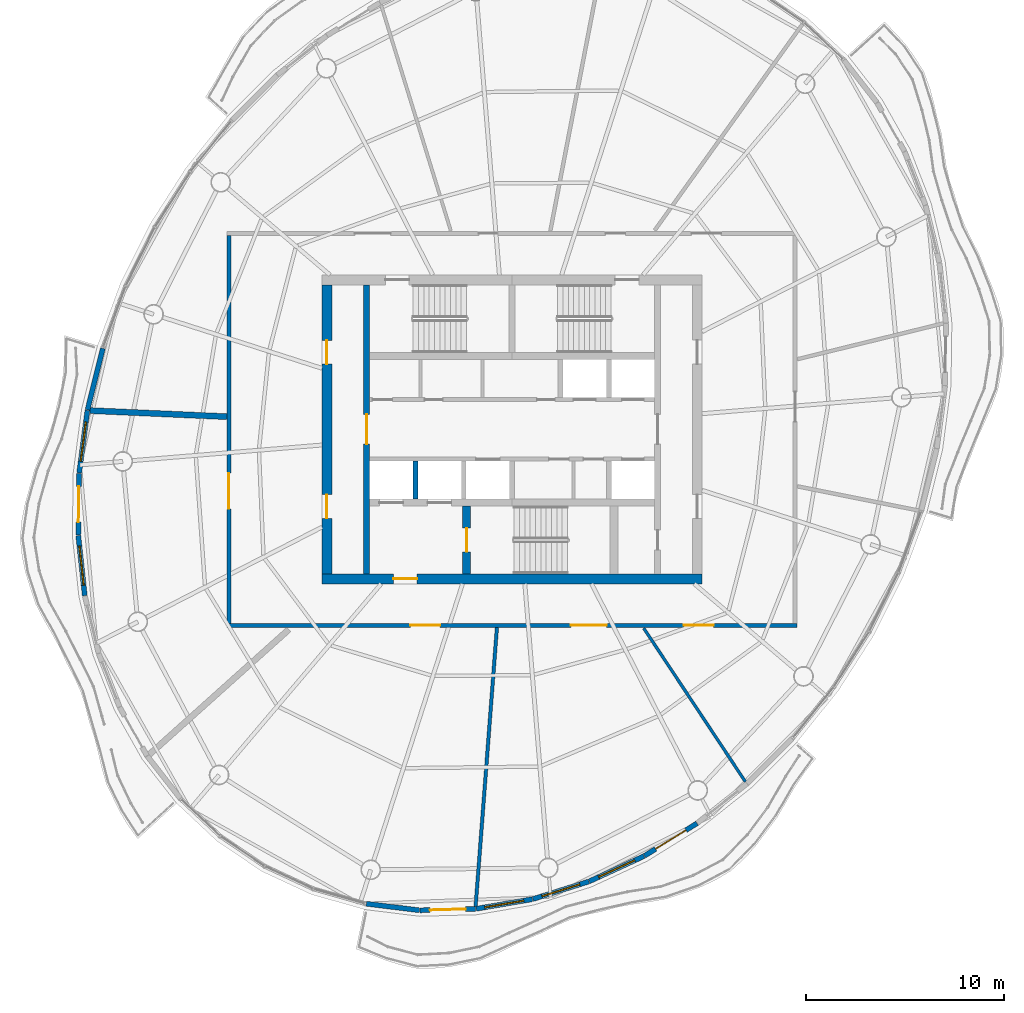
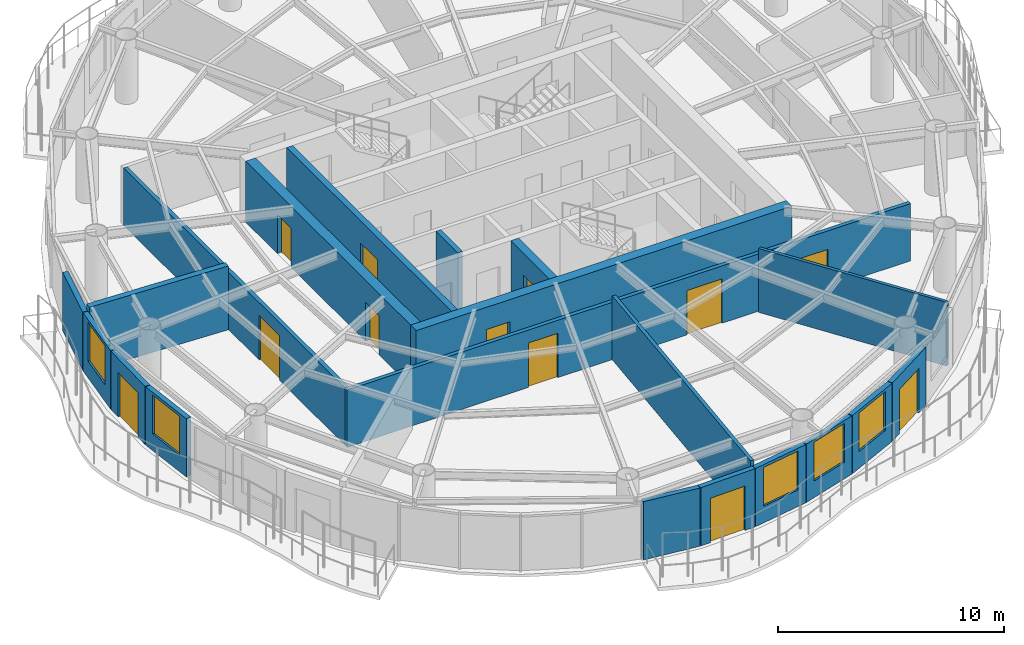
# One storey, part 7 of 13: 20 walls, 12 doors, 5 windows, 17 openings.
"""IFC4 building model written with IfcOpenShell, lengths in metres."""

from ifc_helpers import new_model, si_unit, direction, frame, frame_2d, origin, place, context, subcontext, project, spatial, rectangle, extrude, material, layer, layer_set, type_object, element, fill, save


model = new_model("IFC4")

# Units and contexts
model_context = context("Model", 3, precision=1e-05, world=origin(), true_north=direction((0.0, 1.0)))
body_context = subcontext(model_context, "Body", "Model", "MODEL_VIEW")
ifc_project = project(units=[si_unit("LENGTHUNIT", "METRE"), si_unit("AREAUNIT", "SQUARE_METRE"), si_unit("VOLUMEUNIT", "CUBIC_METRE"), si_unit("PLANEANGLEUNIT", "RADIAN"), si_unit("MASSUNIT", "GRAM", prefix="KILO")], contexts=[model_context])

# Site, building, storey
site_placement = place(None, origin())
site = spatial("IfcSite", under=ifc_project, at=site_placement, CompositionType="ELEMENT")
building_placement = place(site_placement, origin())
building = spatial("IfcBuilding", under=site, at=building_placement, Name="Vermilion Reach Broadcast Tower", CompositionType="ELEMENT")
storey_placement = place(building_placement, frame((0.0, 0.0, 275.699951171875)))
storey = spatial("IfcBuildingStorey", under=building, at=storey_placement, Name="L68", CompositionType="ELEMENT", Elevation=275.699951171875)

# Wall, opening, door
ifc_material_1 = material(Name="Concrete C50", Category="concrete")
ifc_layer_1 = layer(ifc_material_1, 0.300048828125)
ifc_layer_set_1 = layer_set([ifc_layer_1], Name="Core inner wall 300 mm Concrete C50")
wall_type_1 = type_object("IfcWallType", Name="Core inner wall 300 mm Concrete C50", PredefinedType="SHEAR", material=ifc_layer_set_1)
wall_1_placement = place(storey_placement, frame((-13.35009765625, 7.300048828125, 0.0), z_axis=(0.0, 0.0, 1.0), x_axis=(0.0, -1.0, 0.0)))
wall_1 = element("IfcWall", 1, at=wall_1_placement, inside=storey, type_object=wall_type_1, Name="L68 core wall ewW", PredefinedType="SHEAR", context=body_context, shape_type="SweptSolid", body=[
    extrude(rectangle(XDim=14.60009765625, YDim=0.300048828125, at=frame_2d((7.300048828125, 0.0))), origin(), (0.0, 0.0, 1.0), 3.300048828125),
])
opening_1_placement = place(wall_1_placement, frame((6.550048828125, 0.0, 0.0)))
opening_1 = element("IfcOpeningElement", 2, at=opening_1_placement, cuts=wall_1, Name="Opening D04", PredefinedType="OPENING", context=body_context, shape_type="SweptSolid", body=[
    extrude(rectangle(XDim=1.5, YDim=2.10009765625, at=frame_2d((0.75, 1.050048828125))), frame((0.0, 0.159912109375, 0.0), z_axis=(0.0, -1.0, 0.0), x_axis=(1.0, 0.0, 0.0)), (0.0, 0.0, 1.0), 0.320068359375),
])
ifc_material_2 = material(Name="Painted steel fire door", Category="steel")
door_type_1 = type_object("IfcDoorType", Name="Lift lobby door 1500 x 2100", OperationType="DOUBLE_DOOR_SINGLE_SWING", PredefinedType="NOTDEFINED", material=ifc_material_2)
door_1_placement = place(opening_1_placement, origin())
door_1 = element("IfcDoor", 3, at=door_1_placement, inside=storey, type_object=door_type_1, Name="L68 band door BW", OperationType="DOUBLE_DOOR_SINGLE_SWING", OverallHeight=2.10009765625, OverallWidth=1.5, PredefinedType="NOTDEFINED", context=body_context, shape_type="SweptSolid", body=[
    extrude(rectangle(XDim=1.5, YDim=2.10009765625, at=frame_2d((0.75, 1.050048828125))), frame((0.0, 0.02490234375, 0.0), z_axis=(0.0, -1.0, 0.0), x_axis=(1.0, 0.0, 0.0)), (0.0, 0.0, 1.0), 0.050048828125),
])
fill(opening_1, door_1)

ifc_material_3 = material(Name="Concrete C50", Category="concrete")
ifc_layer_2 = layer(ifc_material_3, 0.39990234375)
ifc_layer_set_2 = layer_set([ifc_layer_2], Name="Core inner wall 400 mm Concrete C50")
wall_type_2 = type_object("IfcWallType", Name="Core inner wall 400 mm Concrete C50", PredefinedType="SHEAR", material=ifc_layer_set_2)
wall_2_placement = place(storey_placement, frame((-8.300048828125, -3.8798828125, 0.0), z_axis=(0.0, 0.0, 1.0), x_axis=(0.0, -1.0, 0.0)))
wall_2 = element("IfcWall", 4, at=wall_2_placement, inside=storey, type_object=wall_type_2, Name="L68 core wall wa", PredefinedType="SHEAR", context=body_context, shape_type="SweptSolid", body=[
    extrude(rectangle(XDim=3.420166015625, YDim=0.39990234375, at=frame_2d((1.7099609375, 0.0))), origin(), (0.0, 0.0, 1.0), 3.300048828125),
])
opening_2_placement = place(wall_2_placement, frame((1.110107421875, 0.0, 0.0)))
opening_2 = element("IfcOpeningElement", 5, at=opening_2_placement, cuts=wall_2, Name="Opening D01", PredefinedType="OPENING", context=body_context, shape_type="SweptSolid", body=[
    extrude(rectangle(XDim=1.199951171875, YDim=2.10009765625, at=frame_2d((0.60009765625, 1.050048828125))), frame((0.0, 0.2099609375, 0.0), z_axis=(0.0, -1.0, 0.0), x_axis=(1.0, 0.0, 0.0)), (0.0, 0.0, 1.0), 0.419921875),
])
ifc_material_4 = material(Name="Painted steel fire door", Category="steel")
door_type_2 = type_object("IfcDoorType", Name="Stair door 1200 x 2100", OperationType="DOUBLE_DOOR_SINGLE_SWING", PredefinedType="NOTDEFINED", material=ifc_material_4)
door_2_placement = place(opening_2_placement, origin())
door_2 = element("IfcDoor", 6, at=door_2_placement, inside=storey, type_object=door_type_2, Name="L68 stair door ST3", OperationType="DOUBLE_DOOR_SINGLE_SWING", OverallHeight=2.10009765625, OverallWidth=1.199951171875, PredefinedType="NOTDEFINED", context=body_context, shape_type="SweptSolid", body=[
    extrude(rectangle(XDim=1.199951171875, YDim=2.10009765625, at=frame_2d((0.60009765625, 1.050048828125))), frame((0.0, 0.02490234375, 0.0), z_axis=(0.0, -1.0, 0.0), x_axis=(1.0, 0.0, 0.0)), (0.0, 0.0, 1.0), 0.050048828125),
])
fill(opening_2, door_2)

ifc_material_5 = material(Name="Concrete C50", Category="concrete")
ifc_layer_3 = layer(ifc_material_5, 0.5)
ifc_layer_set_3 = layer_set([ifc_layer_3], Name="Core outer wall 500 mm Concrete C50")
wall_type_3 = type_object("IfcWallType", Name="Core outer wall 500 mm Concrete C50", PredefinedType="SHEAR", material=ifc_layer_set_3)
wall_3_placement = place(storey_placement, frame((-15.60009765625, -7.550048828125, 0.0), z_axis=(0.0, 0.0, 1.0), x_axis=(1.0, 0.0, 0.0)))
wall_3 = element("IfcWall", 7, at=wall_3_placement, inside=storey, type_object=wall_type_3, Name="L68 core wall os", PredefinedType="SHEAR", context=body_context, shape_type="SweptSolid", body=[
    extrude(rectangle(XDim=19.2001953125, YDim=0.5, at=frame_2d((9.60009765625, 0.0))), origin(), (0.0, 0.0, 1.0), 3.300048828125),
])
opening_3_placement = place(wall_3_placement, frame((3.60009765625, 0.0, 0.0)))
opening_3 = element("IfcOpeningElement", 8, at=opening_3_placement, cuts=wall_3, Name="Opening D02", PredefinedType="OPENING", context=body_context, shape_type="SweptSolid", body=[
    extrude(rectangle(XDim=1.199951171875, YDim=2.10009765625, at=frame_2d((0.60009765625, 1.050048828125))), frame((0.0, 0.260009765625, 0.0), z_axis=(0.0, -1.0, 0.0), x_axis=(1.0, 0.0, 0.0)), (0.0, 0.0, 1.0), 0.52001953125),
])
ifc_material_6 = material(Name="Painted steel fire door", Category="steel")
door_type_3 = type_object("IfcDoorType", Name="Firefighting lobby door 1200 x 2100", OperationType="DOUBLE_DOOR_SINGLE_SWING", PredefinedType="NOTDEFINED", material=ifc_material_6)
door_3_placement = place(opening_3_placement, origin())
door_3 = element("IfcDoor", 9, at=door_3_placement, inside=storey, type_object=door_type_3, Name="L68 ffdoor door FFL", OperationType="DOUBLE_DOOR_SINGLE_SWING", OverallHeight=2.10009765625, OverallWidth=1.199951171875, PredefinedType="NOTDEFINED", context=body_context, shape_type="SweptSolid", body=[
    extrude(rectangle(XDim=1.199951171875, YDim=2.10009765625, at=frame_2d((0.60009765625, 1.050048828125))), frame((0.0, 0.02490234375, 0.0), z_axis=(0.0, -1.0, 0.0), x_axis=(1.0, 0.0, 0.0)), (0.0, 0.0, 1.0), 0.050048828125),
])
fill(opening_3, door_3)

# Wall, openings, doors
wall_4_placement = place(storey_placement, frame((-15.35009765625, 7.300048828125, 0.0), z_axis=(0.0, 0.0, 1.0), x_axis=(0.0, -1.0, 0.0)))
wall_4 = element("IfcWall", 10, at=wall_4_placement, inside=storey, type_object=wall_type_3, Name="L68 core wall ow", PredefinedType="SHEAR", context=body_context, shape_type="SweptSolid", body=[
    extrude(rectangle(XDim=14.60009765625, YDim=0.5, at=frame_2d((7.300048828125, 0.0))), origin(), (0.0, 0.0, 1.0), 3.300048828125),
])
opening_4_placement = place(wall_4_placement, frame((10.60009765625, 0.0, 0.0)))
opening_4 = element("IfcOpeningElement", 11, at=opening_4_placement, cuts=wall_4, Name="Opening D03", PredefinedType="OPENING", context=body_context, shape_type="SweptSolid", body=[
    extrude(rectangle(XDim=1.199951171875, YDim=2.10009765625, at=frame_2d((0.60009765625, 1.050048828125))), frame((0.0, 0.260009765625, 0.0), z_axis=(0.0, -1.0, 0.0), x_axis=(1.0, 0.0, 0.0)), (0.0, 0.0, 1.0), 0.52001953125),
])
opening_5_placement = place(wall_4_placement, frame((2.800048828125, 0.0, 0.0)))
opening_5 = element("IfcOpeningElement", 12, at=opening_5_placement, cuts=wall_4, Name="Opening D03", PredefinedType="OPENING", context=body_context, shape_type="SweptSolid", body=[
    extrude(rectangle(XDim=1.199951171875, YDim=2.10009765625, at=frame_2d((0.60009765625, 1.050048828125))), frame((0.0, 0.260009765625, 0.0), z_axis=(0.0, -1.0, 0.0), x_axis=(1.0, 0.0, 0.0)), (0.0, 0.0, 1.0), 0.52001953125),
])
ifc_material_7 = material(Name="Painted steel fire door", Category="steel")
door_type_4 = type_object("IfcDoorType", Name="Core lobby door 1200 x 2100", OperationType="DOUBLE_DOOR_SINGLE_SWING", PredefinedType="NOTDEFINED", material=ifc_material_7)
door_4_placement = place(opening_4_placement, origin())
door_4 = element("IfcDoor", 13, at=door_4_placement, inside=storey, type_object=door_type_4, Name="L68 slot door W0", OperationType="DOUBLE_DOOR_SINGLE_SWING", OverallHeight=2.10009765625, OverallWidth=1.199951171875, PredefinedType="NOTDEFINED", context=body_context, shape_type="SweptSolid", body=[
    extrude(rectangle(XDim=1.199951171875, YDim=2.10009765625, at=frame_2d((0.60009765625, 1.050048828125))), frame((0.0, 0.02490234375, 0.0), z_axis=(0.0, -1.0, 0.0), x_axis=(1.0, 0.0, 0.0)), (0.0, 0.0, 1.0), 0.050048828125),
])
fill(opening_4, door_4)
door_5_placement = place(opening_5_placement, origin())
door_5 = element("IfcDoor", 14, at=door_5_placement, inside=storey, type_object=door_type_4, Name="L68 slot door W1", OperationType="DOUBLE_DOOR_SINGLE_SWING", OverallHeight=2.10009765625, OverallWidth=1.199951171875, PredefinedType="NOTDEFINED", context=body_context, shape_type="SweptSolid", body=[
    extrude(rectangle(XDim=1.199951171875, YDim=2.10009765625, at=frame_2d((0.60009765625, 1.050048828125))), frame((0.0, 0.02490234375, 0.0), z_axis=(0.0, -1.0, 0.0), x_axis=(1.0, 0.0, 0.0)), (0.0, 0.0, 1.0), 0.050048828125),
])
fill(opening_5, door_5)

# Walls
ifc_material_8 = material(Name="Concrete C50", Category="concrete")
ifc_layer_4 = layer(ifc_material_8, 0.25)
ifc_layer_set_4 = layer_set([ifc_layer_4], Name="Core shaft wall 250 mm Concrete C50")
wall_type_4 = type_object("IfcWallType", Name="Core shaft wall 250 mm Concrete C50", PredefinedType="SHEAR", material=ifc_layer_set_4)
wall_5_placement = place(storey_placement, frame((-10.88330078125, -1.60009765625, 0.0), z_axis=(0.0, 0.0, 1.0), x_axis=(0.0, -1.0, 0.0)))
element("IfcWall", 15, at=wall_5_placement, inside=storey, type_object=wall_type_4, Name="L68 core wall psS0", PredefinedType="SHEAR", context=body_context, shape_type="SweptSolid", body=[
    extrude(rectangle(XDim=1.929931640625, YDim=0.25, at=frame_2d((0.96484375, 0.0))), origin(), (0.0, 0.0, 1.0), 3.300048828125),
])
ifc_material_9 = material(Name="Lightweight concrete block, plastered", Category="concrete")
ifc_layer_5 = layer(ifc_material_9, 0.14990234375)
ifc_layer_set_5 = layer_set([ifc_layer_5], Name="Partition 150 lightweight block")
wall_type_5 = type_object("IfcWallType", Name="Partition 150 lightweight block", PredefinedType="PARTITIONING", material=ifc_layer_set_5)
wall_6_placement = place(storey_placement, frame((5.782958984375, -17.799072265625, 0.0), z_axis=(0.0, 0.0, 1.0), x_axis=(-0.552020671297, 0.833830425483, 0.0)))
element("IfcWall", 16, at=wall_6_placement, inside=storey, type_object=wall_type_5, Name="Partition 68.06", PredefinedType="PARTITIONING", context=body_context, shape_type="SweptSolid", body=[
    extrude(rectangle(XDim=9.303466796875, YDim=0.14990234375, at=frame_2d((4.65185546875, 0.0))), origin(), (0.0, 0.0, 1.0), 3.449951171875),
])
ifc_material_10 = material(Name="Fire-rated block, plastered")
ifc_layer_6 = layer(ifc_material_10, 0.175048828125)
ifc_layer_set_6 = layer_set([ifc_layer_6], Name="Partition 175 fire-rated block")
wall_type_6 = type_object("IfcWallType", Name="Partition 175 fire-rated block", PredefinedType="PARTITIONING", material=ifc_layer_set_6)
wall_7_placement = place(storey_placement, frame((-7.842529296875, -24.093994140625, 0.0), z_axis=(0.0, 0.0, 1.0), x_axis=(0.076239282813, 0.99708955052, 0.0)))
element("IfcWall", 17, at=wall_7_placement, inside=storey, type_object=wall_type_6, Name="Partition 68.05", PredefinedType="PARTITIONING", context=body_context, shape_type="SweptSolid", body=[
    extrude(rectangle(XDim=14.12841796875, YDim=0.175048828125, at=frame_2d((7.064208984375, 0.0))), origin(), (0.0, 0.0, 1.0), 3.449951171875),
])
ifc_material_11 = material(Name="Double-leaf plasterboard on isolated steel stud", Category="steel")
ifc_layer_7 = layer(ifc_material_11, 0.300048828125)
ifc_layer_set_7 = layer_set([ifc_layer_7], Name="Partition 300 acoustic double leaf")
wall_type_7 = type_object("IfcWallType", Name="Partition 300 acoustic double leaf", PredefinedType="PARTITIONING", material=ifc_layer_set_7)
wall_8_placement = place(storey_placement, frame((-27.324951171875, 0.947509765625, 0.0), z_axis=(0.0, 0.0, 1.0), x_axis=(0.999014466623, -0.044385757613, 0.0)))
element("IfcWall", 18, at=wall_8_placement, inside=storey, type_object=wall_type_7, Name="Partition 68.03", PredefinedType="PARTITIONING", context=body_context, shape_type="SweptSolid", body=[
    extrude(rectangle(XDim=6.925048828125, YDim=0.300048828125, at=frame_2d((3.46240234375, 0.0))), origin(), (0.0, 0.0, 1.0), 3.449951171875),
])
ifc_material_12 = material(Name="Terracotta rainscreen cladding", Category="masonry")
ifc_layer_8 = layer(ifc_material_12, 0.25)
ifc_layer_set_8 = layer_set([ifc_layer_8], Name="Terracotta rainscreen wall 250")
wall_type_8 = type_object("IfcWallType", Name="Terracotta rainscreen wall 250", PredefinedType="SOLIDWALL", material=ifc_layer_set_8)
wall_9_placement = place(storey_placement, frame((-26.67236328125, 4.08642578125, 0.0), z_axis=(0.0, 0.0, 1.0), x_axis=(-0.241512076768, -0.97039781367, 0.0)))
element("IfcWall", 19, at=wall_9_placement, inside=storey, type_object=wall_type_8, Name="External wall L68 14", PredefinedType="SOLIDWALL", context=body_context, shape_type="SweptSolid", body=[
    extrude(rectangle(XDim=3.199462890625, YDim=0.25, at=frame_2d((1.599609375, 0.0))), origin(), (0.0, 0.0, 1.0), 3.150146484375),
])

# Wall, opening, window
wall_10_placement = place(storey_placement, frame((-27.448974609375, 0.9599609375, 0.0), z_axis=(0.0, 0.0, 1.0), x_axis=(-0.130870245016, -0.99139950523, 0.0)))
wall_10 = element("IfcWall", 20, at=wall_10_placement, inside=storey, type_object=wall_type_8, Name="External wall L68 15", PredefinedType="SOLIDWALL", context=body_context, shape_type="SweptSolid", body=[
    extrude(rectangle(XDim=3.18994140625, YDim=0.25, at=frame_2d((1.594970703125, 0.0))), origin(), (0.0, 0.0, 1.0), 3.150146484375),
])
opening_6_placement = place(wall_10_placement, frame((0.594970703125, 0.0, 0.89990234375)))
opening_6 = element("IfcOpeningElement", 21, at=opening_6_placement, cuts=wall_10, Name="Opening W03", PredefinedType="OPENING", context=body_context, shape_type="SweptSolid", body=[
    extrude(rectangle(XDim=2.0, YDim=2.10009765625, at=frame_2d((1.0, 1.050048828125))), frame((0.0, 0.135009765625, 0.0), z_axis=(0.0, -1.0, 0.0), x_axis=(1.0, 0.0, 0.0)), (0.0, 0.0, 1.0), 0.27001953125),
])
ifc_material_13 = material(Name="Low-e laminated clear glass in aluminium frame", Category="aluminium")
window_type = type_object("IfcWindowType", Name="Punched window 2000 x 2100 sill 900", PartitioningType="SINGLE_PANEL", PredefinedType="WINDOW", material=ifc_material_13)
window_1_placement = place(opening_6_placement, origin())
window_1 = element("IfcWindow", 22, at=window_1_placement, inside=storey, type_object=window_type, Name="Window L68 15", OverallHeight=2.10009765625, OverallWidth=2.0, PartitioningType="SINGLE_PANEL", PredefinedType="WINDOW", context=body_context, shape_type="SweptSolid", body=[
    extrude(rectangle(XDim=2.0, YDim=2.10009765625, at=frame_2d((1.0, 1.050048828125))), frame((0.0, 0.030029296875, 0.0), z_axis=(0.0, -1.0, 0.0), x_axis=(1.0, 0.0, 0.0)), (0.0, 0.0, 1.0), 0.06005859375),
])
fill(opening_6, window_1)

# Wall, opening, door
wall_11_placement = place(storey_placement, frame((-27.867919921875, -2.22509765625, 0.0), z_axis=(0.0, 0.0, 1.0), x_axis=(-0.014305470557, -0.999897671521, 0.0)))
wall_11 = element("IfcWall", 23, at=wall_11_placement, inside=storey, type_object=wall_type_8, Name="External wall L68 16", PredefinedType="SOLIDWALL", context=body_context, shape_type="SweptSolid", body=[
    extrude(rectangle(XDim=3.123046875, YDim=0.25, at=frame_2d((1.5615234375, 0.0))), origin(), (0.0, 0.0, 1.0), 3.150146484375),
])
opening_7_placement = place(wall_11_placement, frame((0.660888671875, 0.0, 0.0)))
opening_7 = element("IfcOpeningElement", 24, at=opening_7_placement, cuts=wall_11, Name="Opening D70", PredefinedType="OPENING", context=body_context, shape_type="SweptSolid", body=[
    extrude(rectangle(XDim=1.800048828125, YDim=2.39990234375, at=frame_2d((0.89990234375, 1.199951171875))), frame((0.0, 0.135009765625, 0.0), z_axis=(0.0, -1.0, 0.0), x_axis=(1.0, 0.0, 0.0)), (0.0, 0.0, 1.0), 0.27001953125),
])
ifc_material_14 = material(Name="Low-e laminated clear glass in aluminium frame", Category="aluminium")
door_type_5 = type_object("IfcDoorType", Name="Balcony sliding door 1800 x 2400", OperationType="DOUBLE_DOOR_SLIDING", PredefinedType="DOOR", material=ifc_material_14)
door_6_placement = place(opening_7_placement, origin())
door_6 = element("IfcDoor", 25, at=door_6_placement, inside=storey, type_object=door_type_5, Name="Balcony door L68 run 04", OperationType="DOUBLE_DOOR_SLIDING", OverallHeight=2.39990234375, OverallWidth=1.800048828125, PredefinedType="DOOR", context=body_context, shape_type="SweptSolid", body=[
    extrude(rectangle(XDim=1.800048828125, YDim=2.39990234375, at=frame_2d((0.89990234375, 1.199951171875))), frame((0.0, 0.02490234375, 0.0), z_axis=(0.0, -1.0, 0.0), x_axis=(1.0, 0.0, 0.0)), (0.0, 0.0, 1.0), 0.050048828125),
])
fill(opening_7, door_6)

# Wall, opening, window
wall_12_placement = place(storey_placement, frame((-27.91162109375, -5.37109375, 0.0), z_axis=(0.0, 0.0, 1.0), x_axis=(0.107713070427, -0.9941820228, 0.0)))
wall_12 = element("IfcWall", 26, at=wall_12_placement, inside=storey, type_object=wall_type_8, Name="External wall L68 17", PredefinedType="SOLIDWALL", context=body_context, shape_type="SweptSolid", body=[
    extrude(rectangle(XDim=3.04638671875, YDim=0.25, at=frame_2d((1.523193359375, 0.0))), origin(), (0.0, 0.0, 1.0), 3.150146484375),
])
opening_8_placement = place(wall_12_placement, frame((0.523193359375, 0.0, 0.89990234375)))
opening_8 = element("IfcOpeningElement", 27, at=opening_8_placement, cuts=wall_12, Name="Opening W03", PredefinedType="OPENING", context=body_context, shape_type="SweptSolid", body=[
    extrude(rectangle(XDim=2.0, YDim=2.10009765625, at=frame_2d((1.0, 1.050048828125))), frame((0.0, 0.135009765625, 0.0), z_axis=(0.0, -1.0, 0.0), x_axis=(1.0, 0.0, 0.0)), (0.0, 0.0, 1.0), 0.27001953125),
])
window_2_placement = place(opening_8_placement, origin())
window_2 = element("IfcWindow", 28, at=window_2_placement, inside=storey, type_object=window_type, Name="Window L68 17", OverallHeight=2.10009765625, OverallWidth=2.0, PartitioningType="SINGLE_PANEL", PredefinedType="WINDOW", context=body_context, shape_type="SweptSolid", body=[
    extrude(rectangle(XDim=2.0, YDim=2.10009765625, at=frame_2d((1.0, 1.050048828125))), frame((0.0, 0.030029296875, 0.0), z_axis=(0.0, -1.0, 0.0), x_axis=(1.0, 0.0, 0.0)), (0.0, 0.0, 1.0), 0.06005859375),
])
fill(opening_8, window_2)

# Wall
wall_13_placement = place(storey_placement, frame((-13.36279296875, -23.961669921875, 0.0), z_axis=(0.0, 0.0, 1.0), x_axis=(0.992517574304, -0.122101861978, 0.0)))
element("IfcWall", 29, at=wall_13_placement, inside=storey, type_object=wall_type_8, Name="External wall L68 26", PredefinedType="SOLIDWALL", context=body_context, shape_type="SweptSolid", body=[
    extrude(rectangle(XDim=2.705322265625, YDim=0.25, at=frame_2d((1.3525390625, 0.0))), origin(), (0.0, 0.0, 1.0), 3.150146484375),
])

# Wall, opening, door
wall_14_placement = place(storey_placement, frame((-10.6513671875, -24.29345703125, 0.0), z_axis=(0.0, 0.0, 1.0), x_axis=(0.999646299505, 0.026594658985, 0.0)))
wall_14 = element("IfcWall", 30, at=wall_14_placement, inside=storey, type_object=wall_type_8, Name="External wall L68 27", PredefinedType="SOLIDWALL", context=body_context, shape_type="SweptSolid", body=[
    extrude(rectangle(XDim=2.80908203125, YDim=0.25, at=frame_2d((1.404541015625, 0.0))), origin(), (0.0, 0.0, 1.0), 3.150146484375),
])
opening_9_placement = place(wall_14_placement, frame((0.5048828125, 0.0, 0.0)))
opening_9 = element("IfcOpeningElement", 31, at=opening_9_placement, cuts=wall_14, Name="Opening D70", PredefinedType="OPENING", context=body_context, shape_type="SweptSolid", body=[
    extrude(rectangle(XDim=1.800048828125, YDim=2.39990234375, at=frame_2d((0.89990234375, 1.199951171875))), frame((0.0, 0.135009765625, 0.0), z_axis=(0.0, -1.0, 0.0), x_axis=(1.0, 0.0, 0.0)), (0.0, 0.0, 1.0), 0.27001953125),
])
door_7_placement = place(opening_9_placement, origin())
door_7 = element("IfcDoor", 32, at=door_7_placement, inside=storey, type_object=door_type_5, Name="Balcony door L68 run 07", OperationType="DOUBLE_DOOR_SLIDING", OverallHeight=2.39990234375, OverallWidth=1.800048828125, PredefinedType="DOOR", context=body_context, shape_type="SweptSolid", body=[
    extrude(rectangle(XDim=1.800048828125, YDim=2.39990234375, at=frame_2d((0.89990234375, 1.199951171875))), frame((0.0, 0.02490234375, 0.0), z_axis=(0.0, -1.0, 0.0), x_axis=(1.0, 0.0, 0.0)), (0.0, 0.0, 1.0), 0.050048828125),
])
fill(opening_9, door_7)

# Wall, opening, window
wall_15_placement = place(storey_placement, frame((-7.817626953125, -24.21630859375, 0.0), z_axis=(0.0, 0.0, 1.0), x_axis=(0.985778528765, 0.1680496719, 0.0)))
wall_15 = element("IfcWall", 33, at=wall_15_placement, inside=storey, type_object=wall_type_8, Name="External wall L68 28", PredefinedType="SOLIDWALL", context=body_context, shape_type="SweptSolid", body=[
    extrude(rectangle(XDim=2.8837890625, YDim=0.25, at=frame_2d((1.44189453125, 0.0))), origin(), (0.0, 0.0, 1.0), 3.150146484375),
])
opening_10_placement = place(wall_15_placement, frame((0.44189453125, 0.0, 0.89990234375)))
opening_10 = element("IfcOpeningElement", 34, at=opening_10_placement, cuts=wall_15, Name="Opening W03", PredefinedType="OPENING", context=body_context, shape_type="SweptSolid", body=[
    extrude(rectangle(XDim=2.0, YDim=2.10009765625, at=frame_2d((1.0, 1.050048828125))), frame((0.0, 0.135009765625, 0.0), z_axis=(0.0, -1.0, 0.0), x_axis=(1.0, 0.0, 0.0)), (0.0, 0.0, 1.0), 0.27001953125),
])
window_3_placement = place(opening_10_placement, origin())
window_3 = element("IfcWindow", 35, at=window_3_placement, inside=storey, type_object=window_type, Name="Window L68 28", OverallHeight=2.10009765625, OverallWidth=2.0, PartitioningType="SINGLE_PANEL", PredefinedType="WINDOW", context=body_context, shape_type="SweptSolid", body=[
    extrude(rectangle(XDim=2.0, YDim=2.10009765625, at=frame_2d((1.0, 1.050048828125))), frame((0.0, 0.030029296875, 0.0), z_axis=(0.0, -1.0, 0.0), x_axis=(1.0, 0.0, 0.0)), (0.0, 0.0, 1.0), 0.06005859375),
])
fill(opening_10, window_3)

wall_16_placement = place(storey_placement, frame((-4.95068359375, -23.725830078125, 0.0), z_axis=(0.0, 0.0, 1.0), x_axis=(0.954126194686, 0.299404750486, 0.0)))
wall_16 = element("IfcWall", 36, at=wall_16_placement, inside=storey, type_object=wall_type_8, Name="External wall L68 29", PredefinedType="SOLIDWALL", context=body_context, shape_type="SweptSolid", body=[
    extrude(rectangle(XDim=2.96484375, YDim=0.25, at=frame_2d((1.482421875, 0.0))), origin(), (0.0, 0.0, 1.0), 3.150146484375),
])
opening_11_placement = place(wall_16_placement, frame((0.482421875, 0.0, 0.89990234375)))
opening_11 = element("IfcOpeningElement", 37, at=opening_11_placement, cuts=wall_16, Name="Opening W03", PredefinedType="OPENING", context=body_context, shape_type="SweptSolid", body=[
    extrude(rectangle(XDim=2.0, YDim=2.10009765625, at=frame_2d((1.0, 1.050048828125))), frame((0.0, 0.135009765625, 0.0), z_axis=(0.0, -1.0, 0.0), x_axis=(1.0, 0.0, 0.0)), (0.0, 0.0, 1.0), 0.27001953125),
])
window_4_placement = place(opening_11_placement, origin())
window_4 = element("IfcWindow", 38, at=window_4_placement, inside=storey, type_object=window_type, Name="Window L68 29", OverallHeight=2.10009765625, OverallWidth=2.0, PartitioningType="SINGLE_PANEL", PredefinedType="WINDOW", context=body_context, shape_type="SweptSolid", body=[
    extrude(rectangle(XDim=2.0, YDim=2.10009765625, at=frame_2d((1.0, 1.050048828125))), frame((0.0, 0.030029296875, 0.0), z_axis=(0.0, -1.0, 0.0), x_axis=(1.0, 0.0, 0.0)), (0.0, 0.0, 1.0), 0.06005859375),
])
fill(opening_11, window_4)

wall_17_placement = place(storey_placement, frame((-2.099365234375, -22.82958984375, 0.0), z_axis=(0.0, 0.0, 1.0), x_axis=(0.907907770621, 0.419169989438, 0.0)))
wall_17 = element("IfcWall", 39, at=wall_17_placement, inside=storey, type_object=wall_type_8, Name="External wall L68 30", PredefinedType="SOLIDWALL", context=body_context, shape_type="SweptSolid", body=[
    extrude(rectangle(XDim=3.046142578125, YDim=0.25, at=frame_2d((1.52294921875, 0.0))), origin(), (0.0, 0.0, 1.0), 3.150146484375),
])
opening_12_placement = place(wall_17_placement, frame((0.523193359375, 0.0, 0.89990234375)))
opening_12 = element("IfcOpeningElement", 40, at=opening_12_placement, cuts=wall_17, Name="Opening W03", PredefinedType="OPENING", context=body_context, shape_type="SweptSolid", body=[
    extrude(rectangle(XDim=2.0, YDim=2.10009765625, at=frame_2d((1.0, 1.050048828125))), frame((0.0, 0.135009765625, 0.0), z_axis=(0.0, -1.0, 0.0), x_axis=(1.0, 0.0, 0.0)), (0.0, 0.0, 1.0), 0.27001953125),
])
window_5_placement = place(opening_12_placement, origin())
window_5 = element("IfcWindow", 41, at=window_5_placement, inside=storey, type_object=window_type, Name="Window L68 30", OverallHeight=2.10009765625, OverallWidth=2.0, PartitioningType="SINGLE_PANEL", PredefinedType="WINDOW", context=body_context, shape_type="SweptSolid", body=[
    extrude(rectangle(XDim=2.0, YDim=2.10009765625, at=frame_2d((1.0, 1.050048828125))), frame((0.0, 0.030029296875, 0.0), z_axis=(0.0, -1.0, 0.0), x_axis=(1.0, 0.0, 0.0)), (0.0, 0.0, 1.0), 0.06005859375),
])
fill(opening_12, window_5)

# Wall, opening, door
wall_18_placement = place(storey_placement, frame((0.686767578125, -21.541748046875, 0.0), z_axis=(0.0, 0.0, 1.0), x_axis=(0.850108496559, 0.526607580726, 0.0)))
wall_18 = element("IfcWall", 42, at=wall_18_placement, inside=storey, type_object=wall_type_8, Name="External wall L68 31", PredefinedType="SOLIDWALL", context=body_context, shape_type="SweptSolid", body=[
    extrude(rectangle(XDim=3.122802734375, YDim=0.25, at=frame_2d((1.5615234375, 0.0))), origin(), (0.0, 0.0, 1.0), 3.150146484375),
])
opening_13_placement = place(wall_18_placement, frame((0.660888671875, 0.0, 0.0)))
opening_13 = element("IfcOpeningElement", 43, at=opening_13_placement, cuts=wall_18, Name="Opening D70", PredefinedType="OPENING", context=body_context, shape_type="SweptSolid", body=[
    extrude(rectangle(XDim=1.800048828125, YDim=2.39990234375, at=frame_2d((0.89990234375, 1.199951171875))), frame((0.0, 0.135009765625, 0.0), z_axis=(0.0, -1.0, 0.0), x_axis=(1.0, 0.0, 0.0)), (0.0, 0.0, 1.0), 0.27001953125),
])
door_8_placement = place(opening_13_placement, origin())
door_8 = element("IfcDoor", 44, at=door_8_placement, inside=storey, type_object=door_type_5, Name="Balcony door L68 run 08", OperationType="DOUBLE_DOOR_SLIDING", OverallHeight=2.39990234375, OverallWidth=1.800048828125, PredefinedType="DOOR", context=body_context, shape_type="SweptSolid", body=[
    extrude(rectangle(XDim=1.800048828125, YDim=2.39990234375, at=frame_2d((0.89990234375, 1.199951171875))), frame((0.0, 0.02490234375, 0.0), z_axis=(0.0, -1.0, 0.0), x_axis=(1.0, 0.0, 0.0)), (0.0, 0.0, 1.0), 0.050048828125),
])
fill(opening_13, door_8)

# Wall, openings, doors
ifc_material_15 = material(Name="Fire-rated gypsum board partition")
ifc_layer_9 = layer(ifc_material_15, 0.199951171875)
ifc_layer_set_9 = layer_set([ifc_layer_9], Name="Under girder: Corridor wall 200 fire-rated")
wall_type_9 = type_object("IfcWallType", Name="Under girder: Corridor wall 200 fire-rated", PredefinedType="PARTITIONING", material=ifc_layer_set_9)
wall_19_placement = place(storey_placement, frame((8.39990234375, -9.89990234375, 0.0), z_axis=(0.0, 0.0, 1.0), x_axis=(-1.0, 0.0, 0.0)))
wall_19 = element("IfcWall", 45, at=wall_19_placement, inside=storey, type_object=wall_type_9, Name="Corridor wall 68.S", PredefinedType="PARTITIONING", context=body_context, shape_type="SweptSolid", body=[
    extrude(rectangle(XDim=28.7998046875, YDim=0.199951171875, at=frame_2d((14.39990234375, 0.0))), origin(), (0.0, 0.0, 1.0), 3.10009765625),
])
opening_14_placement = place(wall_19_placement, frame((18.032470703125, 0.0, 0.0)))
opening_14 = element("IfcOpeningElement", 46, at=opening_14_placement, cuts=wall_19, Name="Opening D25", PredefinedType="OPENING", context=body_context, shape_type="SweptSolid", body=[
    extrude(rectangle(XDim=1.5, YDim=2.39990234375, at=frame_2d((0.75, 1.199951171875))), frame((0.0, 0.10986328125, 0.0), z_axis=(0.0, -1.0, 0.0), x_axis=(1.0, 0.0, 0.0)), (0.0, 0.0, 1.0), 0.219970703125),
])
opening_15_placement = place(wall_19_placement, frame((9.63037109375, 0.0, 0.0)))
opening_15 = element("IfcOpeningElement", 47, at=opening_15_placement, cuts=wall_19, Name="Opening D27", PredefinedType="OPENING", context=body_context, shape_type="SweptSolid", body=[
    extrude(rectangle(XDim=1.800048828125, YDim=2.39990234375, at=frame_2d((0.89990234375, 1.199951171875))), frame((0.0, 0.10986328125, 0.0), z_axis=(0.0, -1.0, 0.0), x_axis=(1.0, 0.0, 0.0)), (0.0, 0.0, 1.0), 0.219970703125),
])
opening_16_placement = place(wall_19_placement, frame((4.220947265625, 0.0, 0.0)))
opening_16 = element("IfcOpeningElement", 48, at=opening_16_placement, cuts=wall_19, Name="Opening D24", PredefinedType="OPENING", context=body_context, shape_type="SweptSolid", body=[
    extrude(rectangle(XDim=1.5, YDim=2.10009765625, at=frame_2d((0.75, 1.050048828125))), frame((0.0, 0.10986328125, 0.0), z_axis=(0.0, -1.0, 0.0), x_axis=(1.0, 0.0, 0.0)), (0.0, 0.0, 1.0), 0.219970703125),
])
ifc_material_16 = material(Name="Timber door leaf", Category="wood")
door_type_6 = type_object("IfcDoorType", Name="Door pair 1500x2100", OperationType="NOTDEFINED", PredefinedType="DOOR", material=ifc_material_16)
door_9_placement = place(opening_16_placement, origin())
door_9 = element("IfcDoor", 49, at=door_9_placement, inside=storey, type_object=door_type_6, Name="Door 68.06", OperationType="DOUBLE_DOOR_SINGLE_SWING", OverallHeight=2.10009765625, OverallWidth=1.5, PredefinedType="DOOR", context=body_context, shape_type="SweptSolid", body=[
    extrude(rectangle(XDim=1.5, YDim=2.10009765625, at=frame_2d((0.75, 1.050048828125))), frame((0.0, 0.02490234375, 0.0), z_axis=(0.0, -1.0, 0.0), x_axis=(1.0, 0.0, 0.0)), (0.0, 0.0, 1.0), 0.050048828125),
])
fill(opening_16, door_9)
ifc_material_17 = material(Name="Glazed timber door leaf", Category="wood")
door_type_7 = type_object("IfcDoorType", Name="Door pair 1500x2400", OperationType="NOTDEFINED", PredefinedType="DOOR", material=ifc_material_17)
door_10_placement = place(opening_14_placement, origin())
door_10 = element("IfcDoor", 50, at=door_10_placement, inside=storey, type_object=door_type_7, Name="Door 68.04", OperationType="DOUBLE_DOOR_SINGLE_SWING", OverallHeight=2.39990234375, OverallWidth=1.5, PredefinedType="DOOR", context=body_context, shape_type="SweptSolid", body=[
    extrude(rectangle(XDim=1.5, YDim=2.39990234375, at=frame_2d((0.75, 1.199951171875))), frame((0.0, 0.02490234375, 0.0), z_axis=(0.0, -1.0, 0.0), x_axis=(1.0, 0.0, 0.0)), (0.0, 0.0, 1.0), 0.050048828125),
])
fill(opening_14, door_10)
ifc_material_18 = material(Name="Acoustic timber door leaf", Category="wood")
door_type_8 = type_object("IfcDoorType", Name="Door pair 1800x2400", OperationType="NOTDEFINED", PredefinedType="DOOR", material=ifc_material_18)
door_11_placement = place(opening_15_placement, origin())
door_11 = element("IfcDoor", 51, at=door_11_placement, inside=storey, type_object=door_type_8, Name="Door 68.05", OperationType="DOUBLE_DOOR_SINGLE_SWING", OverallHeight=2.39990234375, OverallWidth=1.800048828125, PredefinedType="DOOR", context=body_context, shape_type="SweptSolid", body=[
    extrude(rectangle(XDim=1.800048828125, YDim=2.39990234375, at=frame_2d((0.89990234375, 1.199951171875))), frame((0.0, 0.02490234375, 0.0), z_axis=(0.0, -1.0, 0.0), x_axis=(1.0, 0.0, 0.0)), (0.0, 0.0, 1.0), 0.050048828125),
])
fill(opening_15, door_11)

# Wall, opening, door
wall_20_placement = place(storey_placement, frame((-20.300048828125, -9.800048828125, 0.0), z_axis=(0.0, 0.0, 1.0), x_axis=(0.0, 1.0, 0.0)))
wall_20 = element("IfcWall", 52, at=wall_20_placement, inside=storey, type_object=wall_type_9, Name="Corridor wall 68.W", PredefinedType="PARTITIONING", context=body_context, shape_type="SweptSolid", body=[
    extrude(rectangle(XDim=19.60009765625, YDim=0.199951171875, at=frame_2d((9.800048828125, 0.0))), origin(), (0.0, 0.0, 1.0), 3.10009765625),
])
opening_17_placement = place(wall_20_placement, frame((5.787841796875, 0.0, 0.0)))
opening_17 = element("IfcOpeningElement", 53, at=opening_17_placement, cuts=wall_20, Name="Opening D27", PredefinedType="OPENING", context=body_context, shape_type="SweptSolid", body=[
    extrude(rectangle(XDim=1.800048828125, YDim=2.39990234375, at=frame_2d((0.89990234375, 1.199951171875))), frame((0.0, 0.10986328125, 0.0), z_axis=(0.0, -1.0, 0.0), x_axis=(1.0, 0.0, 0.0)), (0.0, 0.0, 1.0), 0.219970703125),
])
door_12_placement = place(opening_17_placement, origin())
door_12 = element("IfcDoor", 54, at=door_12_placement, inside=storey, type_object=door_type_8, Name="Door 68.03", OperationType="DOUBLE_DOOR_SINGLE_SWING", OverallHeight=2.39990234375, OverallWidth=1.800048828125, PredefinedType="DOOR", context=body_context, shape_type="SweptSolid", body=[
    extrude(rectangle(XDim=1.800048828125, YDim=2.39990234375, at=frame_2d((0.89990234375, 1.199951171875))), frame((0.0, 0.02490234375, 0.0), z_axis=(0.0, -1.0, 0.0), x_axis=(1.0, 0.0, 0.0)), (0.0, 0.0, 1.0), 0.050048828125),
])
fill(opening_17, door_12)

save(model, "model.ifc")
